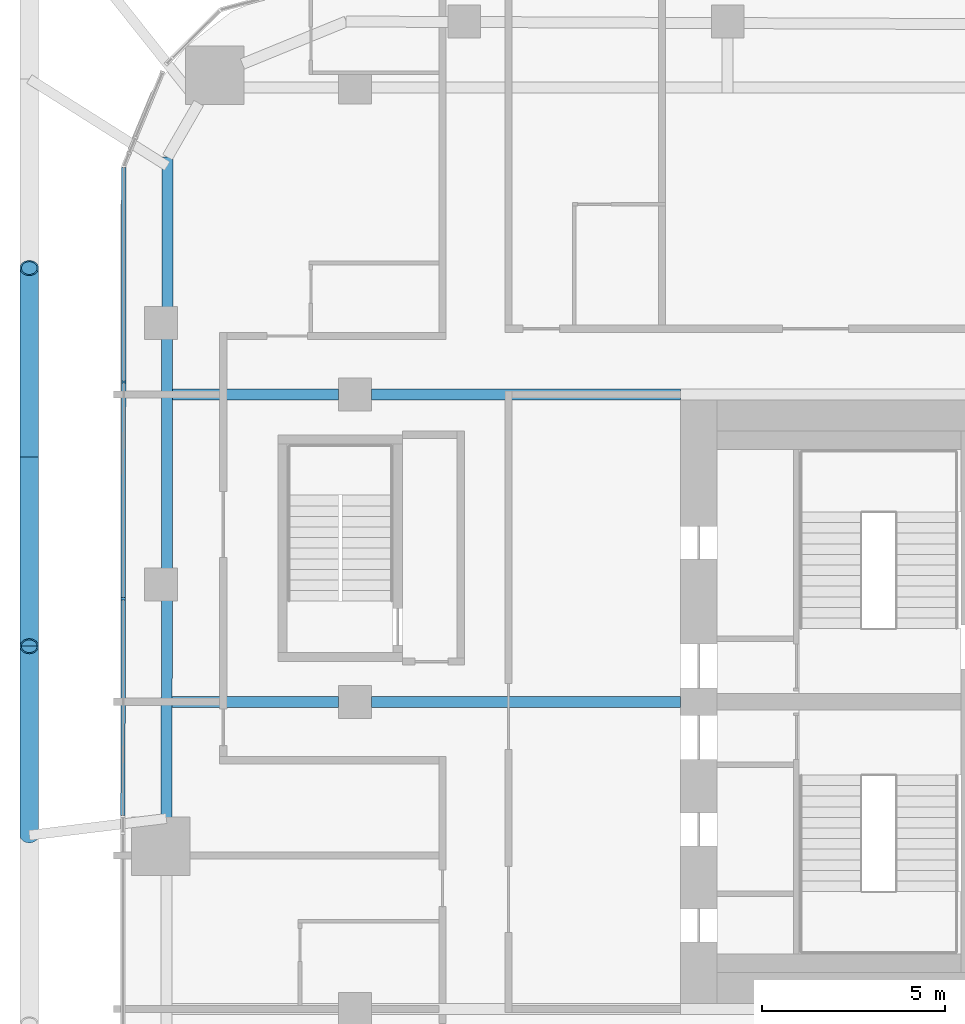
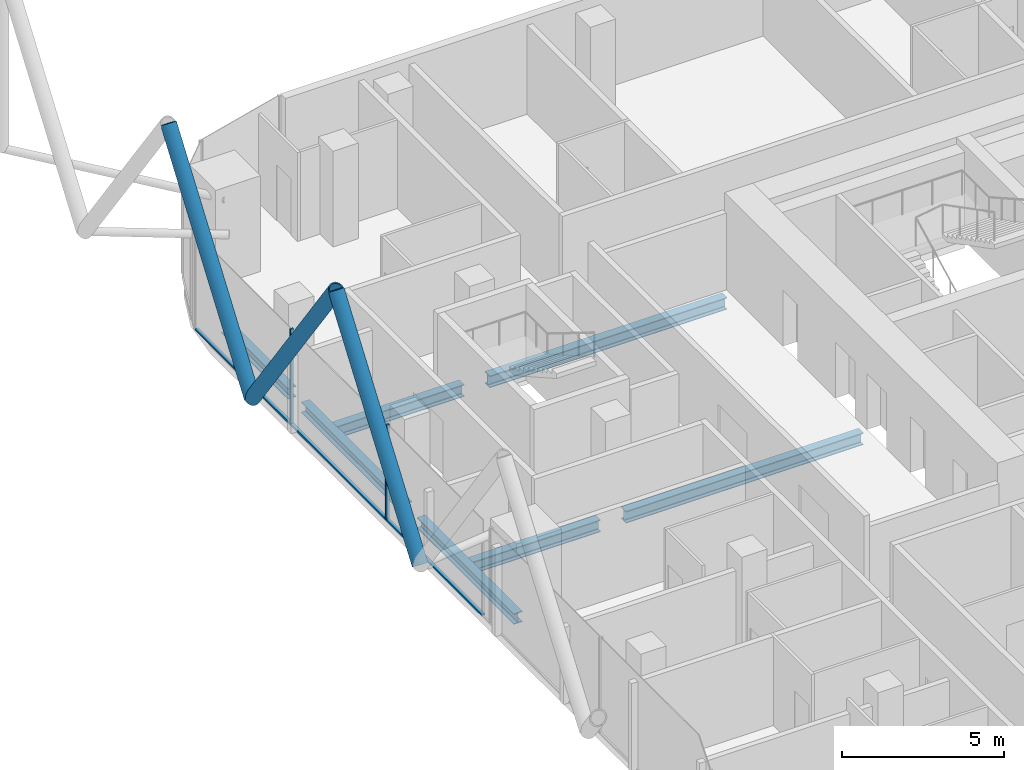
# One storey, part 9 of 36: 8 members, 7 beams, 1 element without a shape of its own.
"""IFC4 building model written with IfcOpenShell, lengths in metres."""

from ifc_helpers import new_model, si_unit, direction, frame, origin, origin_2d, place, context, subcontext, project, spatial, rectangle, hollow_circle, i_section, extrude, material, layer, layer_set, material_profile, profile_set, type_object, element, aggregate, save


model = new_model("IFC4")

# Units and contexts
model_context = context("Model", 3, precision=1e-05, world=origin(), true_north=direction((0.0, 1.0)))
body_context = subcontext(model_context, "Body", "Model", "MODEL_VIEW")
ifc_project = project(units=[si_unit("LENGTHUNIT", "METRE"), si_unit("AREAUNIT", "SQUARE_METRE"), si_unit("VOLUMEUNIT", "CUBIC_METRE"), si_unit("PLANEANGLEUNIT", "RADIAN"), si_unit("MASSUNIT", "GRAM", prefix="KILO")], contexts=[model_context])

# Site, building, storey
site_placement = place(None, origin())
site = spatial("IfcSite", under=ifc_project, at=site_placement, CompositionType="ELEMENT")
building_placement = place(site_placement, origin())
building = spatial("IfcBuilding", under=site, at=building_placement, Name="Marenta Gate Hotel Tower", CompositionType="ELEMENT")
storey_placement = place(building_placement, frame((0.0, 0.0, 144.5)))
storey = spatial("IfcBuildingStorey", under=building, at=storey_placement, Name="L33", CompositionType="ELEMENT", Elevation=144.5)

# Members
ifc_material_1 = material(Name="Steel S355J2W", Category="steel")
ifc_material_profile_1 = material_profile(ifc_material_1, hollow_circle(Radius=0.25390625, WallThickness=0.0400390625, at=origin_2d()), Name="CHS 508x40")
ifc_profile_set_1 = profile_set([ifc_material_profile_1], Name="Steel S355J2W")
member_type_1 = type_object("IfcMemberType", Name="Diagrid diagonal Z2 CHS 508x40", PredefinedType="BRACE", material=ifc_profile_set_1)
member_1_placement = place(storey_placement, frame((-29.89990234375, 4.75, 3.139892578125), z_axis=(0.0, 0.583247791947, 0.812294289767), x_axis=(-1.0, 0.0, 0.0)))
element("IfcMember", 1, at=member_1_placement, inside=storey, type_object=member_type_1, Name="L33-DG-30", PredefinedType="BRACE", context=body_context, shape_type="SweptSolid", body=[
    extrude(hollow_circle(Radius=0.25390625, WallThickness=0.0400390625, at=origin_2d()), origin(), (0.0, 0.0, 1.0), 8.864013671875),
])
member_2_placement = place(storey_placement, frame((-29.89990234375, 15.090087890625, 3.139892578125), z_axis=(0.0, -0.583265964901, 0.81228124082), x_axis=(1.0, 0.0, 0.0)))
element("IfcMember", 2, at=member_2_placement, inside=storey, type_object=member_type_1, Name="L33-DG-31", PredefinedType="BRACE", context=body_context, shape_type="SweptSolid", body=[
    extrude(hollow_circle(Radius=0.25390625, WallThickness=0.0400390625, at=origin_2d()), origin(), (0.0, 0.0, 1.0), 8.8642578125),
])
member_3_placement = place(storey_placement, frame((-29.89990234375, 15.090087890625, 3.139892578125), z_axis=(0.0, 0.583247791947, 0.812294289767), x_axis=(-1.0, 0.0, 0.0)))
element("IfcMember", 3, at=member_3_placement, inside=storey, type_object=member_type_1, Name="L33-DG-32", PredefinedType="BRACE", context=body_context, shape_type="SweptSolid", body=[
    extrude(hollow_circle(Radius=0.25390625, WallThickness=0.0400390625, at=origin_2d()), origin(), (0.0, 0.0, 1.0), 8.864013671875),
])

# Beams
ifc_material_2 = material(Name="Steel S355", Category="steel")
ifc_material_profile_2 = material_profile(ifc_material_2, i_section(OverallWidth=0.300048828125, OverallDepth=0.39990234375, WebThickness=0.013427734375, FlangeThickness=0.02392578125, FilletRadius=0.027099609375, at=origin_2d()), Name="HEB 400")
ifc_profile_set_2 = profile_set([ifc_material_profile_2], Name="Steel S355")
beam_type_1 = type_object("IfcBeamType", Name="Edge beam HEB 400", PredefinedType="SPANDREL", material=ifc_profile_set_2)
beam_1_placement = place(storey_placement, frame((-26.146484375, 5.2099609375, -0.4599609375), z_axis=(0.001387357379, 0.999999037619, 0.0), x_axis=(-0.999999037619, 0.001387357379, 0.0)))
element("IfcBeam", 4, at=beam_1_placement, inside=storey, type_object=beam_type_1, Name="L33-EB-8", PredefinedType="SPANDREL", context=body_context, shape_type="SweptSolid", body=[
    extrude(i_section(OverallWidth=0.300048828125, OverallDepth=0.39990234375, WebThickness=0.013427734375, FlangeThickness=0.02392578125, FilletRadius=0.027099609375, at=origin_2d()), origin(), (0.0, 0.0, 1.0), 5.983154296875),
])
beam_2_placement = place(storey_placement, frame((-26.136962890625, 12.01318359375, -0.4599609375), z_axis=(0.001387763206, 0.999999037056, 0.0), x_axis=(-0.999999037056, 0.001387763206, 0.0)))
element("IfcBeam", 5, at=beam_2_placement, inside=storey, type_object=beam_type_1, Name="L33-EB-9", PredefinedType="SPANDREL", context=body_context, shape_type="SweptSolid", body=[
    extrude(i_section(OverallWidth=0.300048828125, OverallDepth=0.39990234375, WebThickness=0.013427734375, FlangeThickness=0.02392578125, FilletRadius=0.027099609375, at=origin_2d()), origin(), (0.0, 0.0, 1.0), 6.333251953125),
])
beam_3_placement = place(storey_placement, frame((-26.126953125, 19.16650390625, -0.4599609375), z_axis=(0.001361187116, 0.999999073584, 0.0), x_axis=(-0.999999073584, 0.001361187116, 0.0)))
element("IfcBeam", 6, at=beam_3_placement, inside=storey, type_object=beam_type_1, Name="L33-EB-10", PredefinedType="SPANDREL", context=body_context, shape_type="SweptSolid", body=[
    extrude(i_section(OverallWidth=0.300048828125, OverallDepth=0.39990234375, WebThickness=0.013427734375, FlangeThickness=0.02392578125, FilletRadius=0.027099609375, at=origin_2d()), origin(), (0.0, 0.0, 1.0), 4.125244140625),
])
ifc_material_3 = material(Name="Steel S355", Category="steel")
ifc_material_profile_3 = material_profile(ifc_material_3, i_section(OverallWidth=0.300048828125, OverallDepth=0.449951171875, WebThickness=0.013916015625, FlangeThickness=0.02587890625, FilletRadius=0.027099609375, at=origin_2d()), Name="HEB 450")
ifc_profile_set_3 = profile_set([ifc_material_profile_3], Name="Steel S355")
beam_type_2 = type_object("IfcBeamType", Name="Girder HEB 450", PredefinedType="BEAM", material=ifc_profile_set_3)
beam_4_placement = place(storey_placement, frame((-25.991943359375, 8.39990234375, -0.485107421875), z_axis=(1.0, 0.0, 0.0), x_axis=(0.0, 1.0, 0.0)))
element("IfcBeam", 7, at=beam_4_placement, inside=storey, type_object=beam_type_2, Name="L33-GD-20", PredefinedType="BEAM", context=body_context, shape_type="SweptSolid", body=[
    extrude(i_section(OverallWidth=0.300048828125, OverallDepth=0.449951171875, WebThickness=0.013916015625, FlangeThickness=0.02587890625, FilletRadius=0.027099609375, at=origin_2d()), origin(), (0.0, 0.0, 1.0), 4.5419921875),
])
beam_5_placement = place(storey_placement, frame((-20.550048828125, 8.39990234375, -0.485107421875), z_axis=(1.0, 0.0, 0.0), x_axis=(0.0, 1.0, 0.0)))
element("IfcBeam", 8, at=beam_5_placement, inside=storey, type_object=beam_type_2, Name="L33-GD-21", PredefinedType="BEAM", context=body_context, shape_type="SweptSolid", body=[
    extrude(i_section(OverallWidth=0.300048828125, OverallDepth=0.449951171875, WebThickness=0.013916015625, FlangeThickness=0.02587890625, FilletRadius=0.027099609375, at=origin_2d()), origin(), (0.0, 0.0, 1.0), 8.449951171875),
])
beam_6_placement = place(storey_placement, frame((-25.980224609375, 16.800048828125, -0.485107421875), z_axis=(1.0, 0.0, 0.0), x_axis=(0.0, 1.0, 0.0)))
element("IfcBeam", 9, at=beam_6_placement, inside=storey, type_object=beam_type_2, Name="L33-GD-24", PredefinedType="BEAM", context=body_context, shape_type="SweptSolid", body=[
    extrude(i_section(OverallWidth=0.300048828125, OverallDepth=0.449951171875, WebThickness=0.013916015625, FlangeThickness=0.02587890625, FilletRadius=0.027099609375, at=origin_2d()), origin(), (0.0, 0.0, 1.0), 4.5302734375),
])
beam_7_placement = place(storey_placement, frame((-20.550048828125, 16.800048828125, -0.485107421875), z_axis=(1.0, 0.0, 0.0), x_axis=(0.0, 1.0, 0.0)))
element("IfcBeam", 10, at=beam_7_placement, inside=storey, type_object=beam_type_2, Name="L33-GD-25", PredefinedType="BEAM", context=body_context, shape_type="SweptSolid", body=[
    extrude(i_section(OverallWidth=0.300048828125, OverallDepth=0.449951171875, WebThickness=0.013916015625, FlangeThickness=0.02587890625, FilletRadius=0.027099609375, at=origin_2d()), origin(), (0.0, 0.0, 1.0), 8.449951171875),
])

# Curtain wall, members
ifc_material_4 = material(Name="Tinted insulated glass in bronze anodised frame", Category="glass")
ifc_layer = layer(ifc_material_4, 0.1201171875)
ifc_layer_set = layer_set([ifc_layer], Name="Tinted insulated glass in bronze anodised frame")
curtain_wall_type = type_object("IfcCurtainWallType", Name="Tower unitised curtain wall CW1", PredefinedType="NOTDEFINED", material=ifc_layer_set)
curtain_wall_placement = place(storey_placement, origin())
curtain_wall = element("IfcCurtainWall", 11, at=curtain_wall_placement, inside=storey, type_object=curtain_wall_type, Name="CW1 run G06", PredefinedType="NOTDEFINED")
ifc_material_5 = material(Name="Bronze anodised aluminium", Category="aluminium")
ifc_material_profile_4 = material_profile(ifc_material_5, rectangle(XDim=0.1201171875, YDim=0.06005859375, at=origin_2d()), Name="Mullion CW1 60x120 bronze anodised aluminium")
ifc_profile_set_4 = profile_set([ifc_material_profile_4], Name="Bronze anodised aluminium")
member_type_2 = type_object("IfcMemberType", Name="Mullion CW1 60x120 bronze anodised aluminium", PredefinedType="MULLION", material=ifc_profile_set_4)
member_4_placement = place(storey_placement, frame((-27.321533203125, 17.141357421875, 0.0), z_axis=(0.0, 0.0, 1.0), x_axis=(0.999998768051, -0.001569680138, 0.0)))
member_4 = element("IfcMember", 12, at=member_4_placement, type_object=member_type_2, Name="CW1 mullion 2", PredefinedType="MULLION", context=body_context, shape_type="SweptSolid", body=[
    extrude(rectangle(XDim=0.1201171875, YDim=0.06005859375, at=origin_2d()), origin(), (0.0, 0.0, 1.0), 3.60009765625),
])
member_5_placement = place(storey_placement, frame((-27.330810546875, 11.216552734375, 0.0), z_axis=(0.0, 0.0, 1.0), x_axis=(0.999998768051, -0.001569680138, 0.0)))
member_5 = element("IfcMember", 13, at=member_5_placement, type_object=member_type_2, Name="CW1 mullion 3", PredefinedType="MULLION", context=body_context, shape_type="SweptSolid", body=[
    extrude(rectangle(XDim=0.1201171875, YDim=0.06005859375, at=origin_2d()), origin(), (0.0, 0.0, 1.0), 3.60009765625),
])
ifc_material_6 = material(Name="Bronze anodised aluminium", Category="aluminium")
ifc_material_profile_5 = material_profile(ifc_material_6, rectangle(XDim=0.1201171875, YDim=0.06005859375, at=origin_2d()), Name="Transom CW1 60x120 bronze anodised aluminium")
ifc_profile_set_5 = profile_set([ifc_material_profile_5], Name="Bronze anodised aluminium")
member_type_3 = type_object("IfcMemberType", Name="Transom CW1 60x120 bronze anodised aluminium", PredefinedType="USERDEFINED", material=ifc_profile_set_5)
member_6_placement = place(storey_placement, frame((-27.3125, 23.006103515625, 0.030029296875), z_axis=(-0.001548180077, -0.999998801569, 0.0), x_axis=(0.999998801569, -0.001548180077, 0.0)))
member_6 = element("IfcMember", 14, at=member_6_placement, type_object=member_type_3, Name="CW1 transom 1.1", ObjectType="TRANSOM", PredefinedType="USERDEFINED", context=body_context, shape_type="SweptSolid", body=[
    extrude(rectangle(XDim=0.1201171875, YDim=0.06005859375, at=origin_2d()), origin(), (0.0, 0.0, 1.0), 5.834716796875),
])
member_7_placement = place(storey_placement, frame((-27.321533203125, 17.111328125, 0.030029296875), z_axis=(-0.001581881294, -0.999998748825, 0.0), x_axis=(0.999998748825, -0.001581881294, 0.0)))
member_7 = element("IfcMember", 15, at=member_7_placement, type_object=member_type_3, Name="CW1 transom 2.1", ObjectType="TRANSOM", PredefinedType="USERDEFINED", context=body_context, shape_type="SweptSolid", body=[
    extrude(rectangle(XDim=0.1201171875, YDim=0.06005859375, at=origin_2d()), origin(), (0.0, 0.0, 1.0), 5.86474609375),
])
member_8_placement = place(storey_placement, frame((-27.3310546875, 11.186767578125, 0.030029296875), z_axis=(-0.001532406567, -0.999998825864, 0.0), x_axis=(0.999998825864, -0.001532406567, 0.0)))
member_8 = element("IfcMember", 16, at=member_8_placement, type_object=member_type_3, Name="CW1 transom 3.1", ObjectType="TRANSOM", PredefinedType="USERDEFINED", context=body_context, shape_type="SweptSolid", body=[
    extrude(rectangle(XDim=0.1201171875, YDim=0.06005859375, at=origin_2d()), origin(), (0.0, 0.0, 1.0), 5.894775390625),
])
aggregate(curtain_wall, [member_4, member_5, member_6, member_7, member_8])

save(model, "model.ifc")
